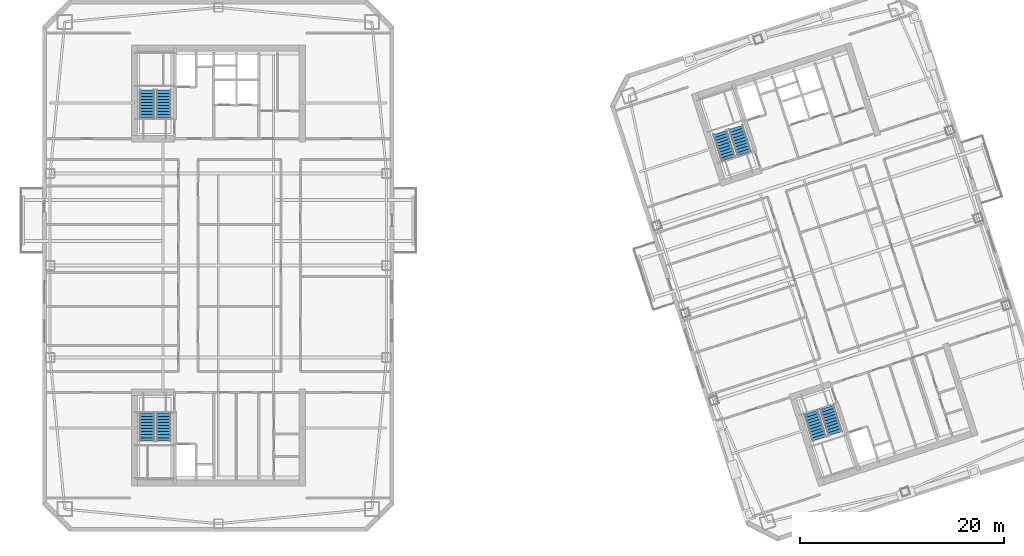
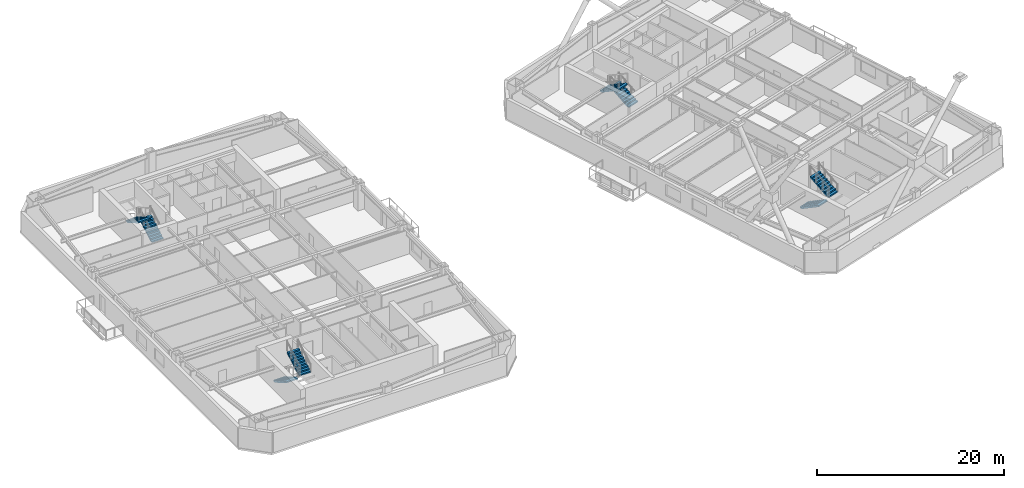
# One storey, part 12 of 17: 8 stair flights, 4 elements without a shape of their own.
"""IFC4 building model written with IfcOpenShell, lengths in metres."""

from ifc_helpers import new_model, si_unit, direction, frame, origin, place, context, subcontext, project, spatial, polyline, outline, extrude, material, type_object, element, aggregate, save


model = new_model("IFC4")

# Units and contexts
model_context = context("Model", 3, precision=1e-05, world=origin(), true_north=direction((0.0, 1.0)))
body_context = subcontext(model_context, "Body", "Model", "MODEL_VIEW")
ifc_project = project(units=[si_unit("LENGTHUNIT", "METRE"), si_unit("AREAUNIT", "SQUARE_METRE"), si_unit("VOLUMEUNIT", "CUBIC_METRE"), si_unit("PLANEANGLEUNIT", "RADIAN"), si_unit("MASSUNIT", "GRAM", prefix="KILO")], contexts=[model_context])

# Site, building, storey
site_placement = place(None, origin())
site = spatial("IfcSite", under=ifc_project, at=site_placement, CompositionType="ELEMENT")
building_placement = place(site_placement, origin())
building = spatial("IfcBuilding", under=site, at=building_placement, Name="Qiaolan Cultural Towers", CompositionType="ELEMENT")
storey_placement = place(building_placement, frame((0.0, 0.0, 177.10009765625)))
storey = spatial("IfcBuildingStorey", under=building, at=storey_placement, Name="L47", CompositionType="ELEMENT", Elevation=177.10009765625)

# Stair, stair flights
ifc_material_1 = material(Name="Concrete C45", Category="concrete")
stair_type = type_object("IfcStairType", Name="STR-CORE-1500", PredefinedType="HALF_TURN_STAIR", material=ifc_material_1)
stair_1_placement = place(storey_placement, origin())
stair_1 = element("IfcStair", 1, at=stair_1_placement, inside=storey, type_object=stair_type, Name="L47 Smokeproof Exit Stair ST-W1", PredefinedType="HALF_TURN_STAIR")
ifc_material_2 = material(Name="Concrete C45", Category="concrete")
stair_flight_type = type_object("IfcStairFlightType", Name="STR-CORE-1500-FL", PredefinedType="STRAIGHT", material=ifc_material_2)
stair_flight_1_placement = place(storey_placement, frame((23.02001953125, 19.550048828125, 0.0), z_axis=(0.0, 0.0, 1.0), x_axis=(0.0, -1.0, 0.0)))
stair_flight_1 = element("IfcStairFlight", 2, at=stair_flight_1_placement, type_object=stair_flight_type, Name="ST-W1 flight 1", NumberOfRisers=10, NumberOfTreads=9, PredefinedType="STRAIGHT", RiserHeight=0.1725, TreadLength=0.3, context=body_context, shape_type="SweptSolid", body=[
    extrude(outline(polyline([(0.0, 0.0), (0.0, 0.172607421875), (0.300048828125, 0.172607421875), (0.300048828125, 0.344970703125), (0.60009765625, 0.344970703125), (0.60009765625, 0.517578125), (0.89990234375, 0.517578125), (0.89990234375, 0.68994140625), (1.199951171875, 0.68994140625), (1.199951171875, 0.862548828125), (1.5, 0.862548828125), (1.5, 1.034912109375), (1.800048828125, 1.034912109375), (1.800048828125, 1.20751953125), (2.10009765625, 1.20751953125), (2.10009765625, 1.3798828125), (2.39990234375, 1.3798828125), (2.39990234375, 1.552490234375), (2.699951171875, 1.552490234375), (2.699951171875, 1.72509765625), (2.699951171875, 1.379638671875), (0.30078125, 0.0), (0.0, 0.0)])), frame((0.0, 0.719970703125, 0.0), z_axis=(0.0, -1.0, 0.0), x_axis=(1.0, 0.0, 0.0)), (0.0, 0.0, 1.0), 1.43994140625),
])
stair_flight_2_placement = place(storey_placement, frame((24.659912109375, 16.85009765625, 1.724853515625), z_axis=(0.0, 0.0, 1.0), x_axis=(0.0, 1.0, 0.0)))
stair_flight_2 = element("IfcStairFlight", 3, at=stair_flight_2_placement, type_object=stair_flight_type, Name="ST-W1 flight 2", NumberOfRisers=10, NumberOfTreads=9, PredefinedType="STRAIGHT", RiserHeight=0.1725, TreadLength=0.3, context=body_context, shape_type="SweptSolid", body=[
    extrude(outline(polyline([(0.0, 0.0), (0.0, 0.172607421875), (0.300048828125, 0.172607421875), (0.300048828125, 0.344970703125), (0.60009765625, 0.344970703125), (0.60009765625, 0.517578125), (0.89990234375, 0.517578125), (0.89990234375, 0.68994140625), (1.199951171875, 0.68994140625), (1.199951171875, 0.862548828125), (1.5, 0.862548828125), (1.5, 1.034912109375), (1.800048828125, 1.034912109375), (1.800048828125, 1.20751953125), (2.10009765625, 1.20751953125), (2.10009765625, 1.3798828125), (2.39990234375, 1.3798828125), (2.39990234375, 1.552490234375), (2.699951171875, 1.552490234375), (2.699951171875, 1.72509765625), (2.699951171875, 1.379638671875), (0.30078125, 0.0), (0.0, 0.0)])), frame((0.0, 0.719970703125, 0.0), z_axis=(0.0, -1.0, 0.0), x_axis=(1.0, 0.0, 0.0)), (0.0, 0.0, 1.0), 1.43994140625),
])
aggregate(stair_1, [stair_flight_1, stair_flight_2])

stair_2_placement = place(storey_placement, origin())
stair_2 = element("IfcStair", 4, at=stair_2_placement, inside=storey, type_object=stair_type, Name="L47 Smokeproof Exit Stair ST-W2", PredefinedType="HALF_TURN_STAIR")
stair_flight_3_placement = place(storey_placement, frame((24.659912109375, 48.449951171875, 0.0), z_axis=(0.0, 0.0, 1.0), x_axis=(0.0, 1.0, 0.0)))
stair_flight_3 = element("IfcStairFlight", 5, at=stair_flight_3_placement, type_object=stair_flight_type, Name="ST-W2 flight 1", NumberOfRisers=10, NumberOfTreads=9, PredefinedType="STRAIGHT", RiserHeight=0.1725, TreadLength=0.3, context=body_context, shape_type="SweptSolid", body=[
    extrude(outline(polyline([(0.0, 0.0), (0.0, 0.172607421875), (0.300048828125, 0.172607421875), (0.300048828125, 0.344970703125), (0.60009765625, 0.344970703125), (0.60009765625, 0.517578125), (0.89990234375, 0.517578125), (0.89990234375, 0.68994140625), (1.199951171875, 0.68994140625), (1.199951171875, 0.862548828125), (1.5, 0.862548828125), (1.5, 1.034912109375), (1.800048828125, 1.034912109375), (1.800048828125, 1.20751953125), (2.10009765625, 1.20751953125), (2.10009765625, 1.3798828125), (2.39990234375, 1.3798828125), (2.39990234375, 1.552490234375), (2.699951171875, 1.552490234375), (2.699951171875, 1.72509765625), (2.699951171875, 1.379638671875), (0.30078125, 0.0), (0.0, 0.0)])), frame((0.0, 0.719970703125, 0.0), z_axis=(0.0, -1.0, 0.0), x_axis=(1.0, 0.0, 0.0)), (0.0, 0.0, 1.0), 1.43994140625),
])
stair_flight_4_placement = place(storey_placement, frame((23.02001953125, 51.14990234375, 1.724853515625), z_axis=(0.0, 0.0, 1.0), x_axis=(0.0, -1.0, 0.0)))
stair_flight_4 = element("IfcStairFlight", 6, at=stair_flight_4_placement, type_object=stair_flight_type, Name="ST-W2 flight 2", NumberOfRisers=10, NumberOfTreads=9, PredefinedType="STRAIGHT", RiserHeight=0.1725, TreadLength=0.3, context=body_context, shape_type="SweptSolid", body=[
    extrude(outline(polyline([(0.0, 0.0), (0.0, 0.172607421875), (0.300048828125, 0.172607421875), (0.300048828125, 0.344970703125), (0.60009765625, 0.344970703125), (0.60009765625, 0.517578125), (0.89990234375, 0.517578125), (0.89990234375, 0.68994140625), (1.199951171875, 0.68994140625), (1.199951171875, 0.862548828125), (1.5, 0.862548828125), (1.5, 1.034912109375), (1.800048828125, 1.034912109375), (1.800048828125, 1.20751953125), (2.10009765625, 1.20751953125), (2.10009765625, 1.3798828125), (2.39990234375, 1.3798828125), (2.39990234375, 1.552490234375), (2.699951171875, 1.552490234375), (2.699951171875, 1.72509765625), (2.699951171875, 1.379638671875), (0.30078125, 0.0), (0.0, 0.0)])), frame((0.0, 0.719970703125, 0.0), z_axis=(0.0, -1.0, 0.0), x_axis=(1.0, 0.0, 0.0)), (0.0, 0.0, 1.0), 1.43994140625),
])
aggregate(stair_2, [stair_flight_3, stair_flight_4])

stair_3_placement = place(storey_placement, origin())
stair_3 = element("IfcStair", 7, at=stair_3_placement, inside=storey, type_object=stair_type, Name="L47 Smokeproof Exit Stair ST-E1", PredefinedType="HALF_TURN_STAIR")
stair_flight_5_placement = place(storey_placement, frame((87.96484375, 19.6171875, 0.0), z_axis=(0.0, 0.0, 1.0), x_axis=(0.309016994375, -0.951056516295, 0.0)))
stair_flight_5 = element("IfcStairFlight", 8, at=stair_flight_5_placement, type_object=stair_flight_type, Name="ST-E1 flight 1", NumberOfRisers=10, NumberOfTreads=9, PredefinedType="STRAIGHT", RiserHeight=0.1725, TreadLength=0.3, context=body_context, shape_type="SweptSolid", body=[
    extrude(outline(polyline([(0.0, 0.0), (0.0, 0.172607421875), (0.300048828125, 0.172607421875), (0.300048828125, 0.344970703125), (0.60009765625, 0.344970703125), (0.60009765625, 0.517578125), (0.89990234375, 0.517578125), (0.89990234375, 0.68994140625), (1.199951171875, 0.68994140625), (1.199951171875, 0.862548828125), (1.5, 0.862548828125), (1.5, 1.034912109375), (1.800048828125, 1.034912109375), (1.800048828125, 1.20751953125), (2.10009765625, 1.20751953125), (2.10009765625, 1.3798828125), (2.39990234375, 1.3798828125), (2.39990234375, 1.552490234375), (2.699951171875, 1.552490234375), (2.699951171875, 1.72509765625), (2.699951171875, 1.379638671875), (0.30078125, 0.0), (0.0, 0.0)])), frame((0.0, 0.719970703125, 0.0), z_axis=(0.0, -1.0, 0.0), x_axis=(1.0, 0.0, 0.0)), (0.0, 0.0, 1.0), 1.43994140625),
])
stair_flight_6_placement = place(storey_placement, frame((90.359130859375, 17.55615234375, 1.724853515625), z_axis=(0.0, 0.0, 1.0), x_axis=(-0.309016994375, 0.951056516295, 0.0)))
stair_flight_6 = element("IfcStairFlight", 9, at=stair_flight_6_placement, type_object=stair_flight_type, Name="ST-E1 flight 2", NumberOfRisers=10, NumberOfTreads=9, PredefinedType="STRAIGHT", RiserHeight=0.1725, TreadLength=0.3, context=body_context, shape_type="SweptSolid", body=[
    extrude(outline(polyline([(0.0, 0.0), (0.0, 0.172607421875), (0.300048828125, 0.172607421875), (0.300048828125, 0.344970703125), (0.60009765625, 0.344970703125), (0.60009765625, 0.517578125), (0.89990234375, 0.517578125), (0.89990234375, 0.68994140625), (1.199951171875, 0.68994140625), (1.199951171875, 0.862548828125), (1.5, 0.862548828125), (1.5, 1.034912109375), (1.800048828125, 1.034912109375), (1.800048828125, 1.20751953125), (2.10009765625, 1.20751953125), (2.10009765625, 1.3798828125), (2.39990234375, 1.3798828125), (2.39990234375, 1.552490234375), (2.699951171875, 1.552490234375), (2.699951171875, 1.72509765625), (2.699951171875, 1.379638671875), (0.30078125, 0.0), (0.0, 0.0)])), frame((0.0, 0.719970703125, 0.0), z_axis=(0.0, -1.0, 0.0), x_axis=(1.0, 0.0, 0.0)), (0.0, 0.0, 1.0), 1.43994140625),
])
aggregate(stair_3, [stair_flight_5, stair_flight_6])

stair_4_placement = place(storey_placement, origin())
stair_4 = element("IfcStair", 10, at=stair_4_placement, inside=storey, type_object=stair_type, Name="L47 Smokeproof Exit Stair ST-E2", PredefinedType="HALF_TURN_STAIR")
stair_flight_7_placement = place(storey_placement, frame((81.459228515625, 44.946533203125, 0.0), z_axis=(0.0, 0.0, 1.0), x_axis=(-0.309016994375, 0.951056516295, 0.0)))
stair_flight_7 = element("IfcStairFlight", 11, at=stair_flight_7_placement, type_object=stair_flight_type, Name="ST-E2 flight 1", NumberOfRisers=10, NumberOfTreads=9, PredefinedType="STRAIGHT", RiserHeight=0.1725, TreadLength=0.3, context=body_context, shape_type="SweptSolid", body=[
    extrude(outline(polyline([(0.0, 0.0), (0.0, 0.172607421875), (0.300048828125, 0.172607421875), (0.300048828125, 0.344970703125), (0.60009765625, 0.344970703125), (0.60009765625, 0.517578125), (0.89990234375, 0.517578125), (0.89990234375, 0.68994140625), (1.199951171875, 0.68994140625), (1.199951171875, 0.862548828125), (1.5, 0.862548828125), (1.5, 1.034912109375), (1.800048828125, 1.034912109375), (1.800048828125, 1.20751953125), (2.10009765625, 1.20751953125), (2.10009765625, 1.3798828125), (2.39990234375, 1.3798828125), (2.39990234375, 1.552490234375), (2.699951171875, 1.552490234375), (2.699951171875, 1.72509765625), (2.699951171875, 1.379638671875), (0.30078125, 0.0), (0.0, 0.0)])), frame((0.0, 0.719970703125, 0.0), z_axis=(0.0, -1.0, 0.0), x_axis=(1.0, 0.0, 0.0)), (0.0, 0.0, 1.0), 1.43994140625),
])
stair_flight_8_placement = place(storey_placement, frame((79.065185546875, 47.007568359375, 1.724853515625), z_axis=(0.0, 0.0, 1.0), x_axis=(0.309016994375, -0.951056516295, 0.0)))
stair_flight_8 = element("IfcStairFlight", 12, at=stair_flight_8_placement, type_object=stair_flight_type, Name="ST-E2 flight 2", NumberOfRisers=10, NumberOfTreads=9, PredefinedType="STRAIGHT", RiserHeight=0.1725, TreadLength=0.3, context=body_context, shape_type="SweptSolid", body=[
    extrude(outline(polyline([(0.0, 0.0), (0.0, 0.172607421875), (0.300048828125, 0.172607421875), (0.300048828125, 0.344970703125), (0.60009765625, 0.344970703125), (0.60009765625, 0.517578125), (0.89990234375, 0.517578125), (0.89990234375, 0.68994140625), (1.199951171875, 0.68994140625), (1.199951171875, 0.862548828125), (1.5, 0.862548828125), (1.5, 1.034912109375), (1.800048828125, 1.034912109375), (1.800048828125, 1.20751953125), (2.10009765625, 1.20751953125), (2.10009765625, 1.3798828125), (2.39990234375, 1.3798828125), (2.39990234375, 1.552490234375), (2.699951171875, 1.552490234375), (2.699951171875, 1.72509765625), (2.699951171875, 1.379638671875), (0.30078125, 0.0), (0.0, 0.0)])), frame((0.0, 0.719970703125, 0.0), z_axis=(0.0, -1.0, 0.0), x_axis=(1.0, 0.0, 0.0)), (0.0, 0.0, 1.0), 1.43994140625),
])
aggregate(stair_4, [stair_flight_7, stair_flight_8])

save(model, "model.ifc")
